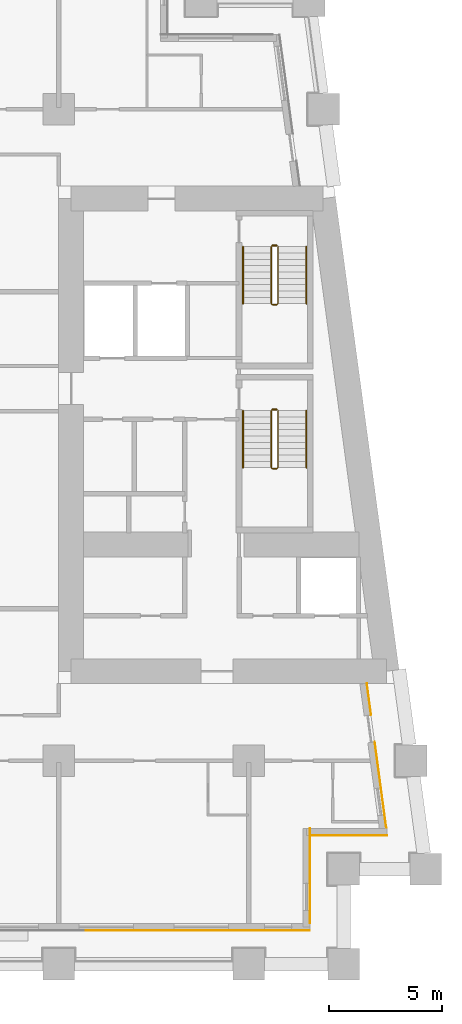
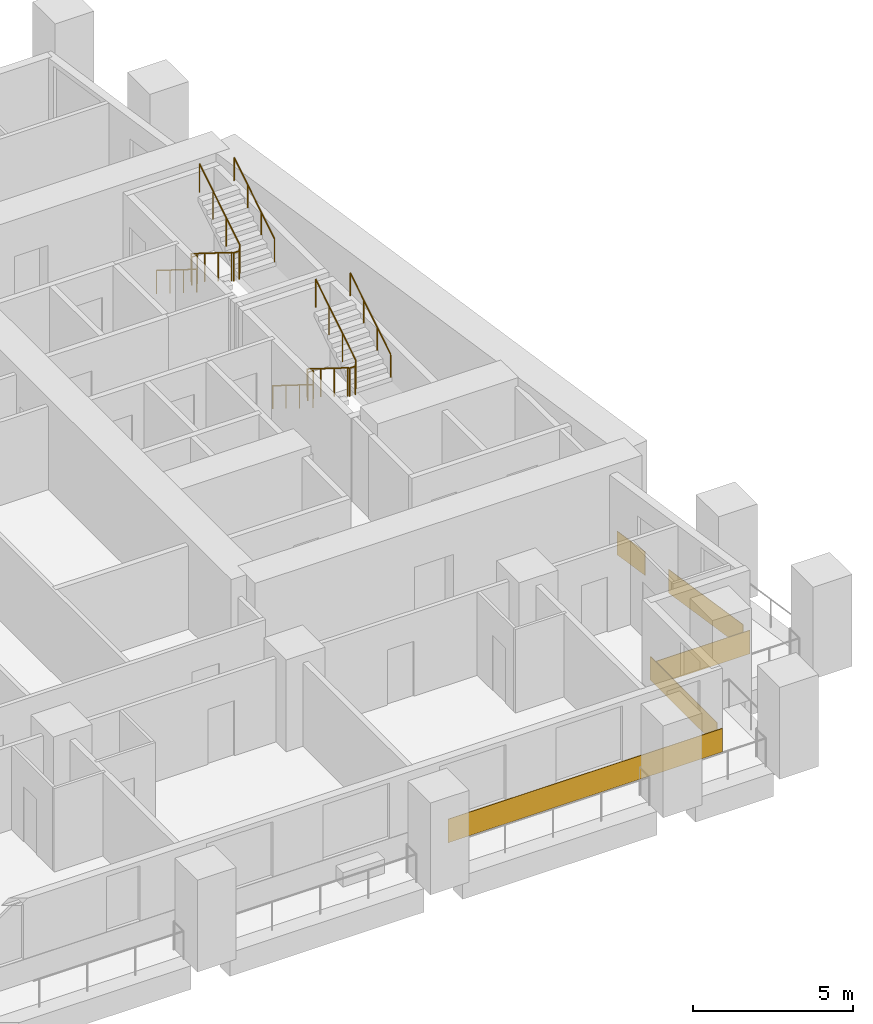
# One storey, part 11 of 13: 8 railings, 5 coverings.
"""IFC4 building model written with IfcOpenShell, lengths in metres."""

from ifc_helpers import new_model, si_unit, direction, frame, origin, origin_2d, place, context, subcontext, project, spatial, rectangle, circle, extrude, material, layer, layer_set, type_object, element, save


model = new_model("IFC4")

# Units and contexts
model_context = context("Model", 3, precision=1e-05, world=origin(), true_north=direction((0.0, 1.0)))
body_context = subcontext(model_context, "Body", "Model", "MODEL_VIEW")
ifc_project = project(units=[si_unit("LENGTHUNIT", "METRE"), si_unit("AREAUNIT", "SQUARE_METRE"), si_unit("VOLUMEUNIT", "CUBIC_METRE"), si_unit("PLANEANGLEUNIT", "RADIAN"), si_unit("MASSUNIT", "GRAM", prefix="KILO")], contexts=[model_context])

# Site, building, storey
site_placement = place(None, origin())
site = spatial("IfcSite", under=ifc_project, at=site_placement, CompositionType="ELEMENT")
building_placement = place(site_placement, origin())
building = spatial("IfcBuilding", under=site, at=building_placement, Name="Candeia Pilgrim Tower and Theatre", CompositionType="ELEMENT")
storey_placement = place(building_placement, frame((0.0, 0.0, 56.5)))
storey = spatial("IfcBuildingStorey", under=building, at=storey_placement, Name="L11", CompositionType="ELEMENT", Elevation=56.5)

# Coverings
ifc_material_1 = material(Name="Glazed ceramic tile deep red")
ifc_layer = layer(ifc_material_1, 0.02001953125)
ifc_layer_set = layer_set([ifc_layer], Name="Glazed ceramic tile deep red")
covering_type = type_object("IfcCoveringType", Name="Glazed ceramic tile deep red", PredefinedType="CLADDING", material=ifc_layer_set)
covering_1_placement = place(storey_placement, frame((132.14990234375, 99.489990234375, 0.0), z_axis=(0.0, 0.0, 1.0), x_axis=(1.0, 0.0, 0.0)))
element("IfcCovering", 1, at=covering_1_placement, inside=storey, type_object=covering_type, Name="Tile cladding deep red L11", PredefinedType="CLADDING", context=body_context, shape_type="SweptSolid", body=[
    extrude(rectangle(XDim=9.89990234375, YDim=0.02001953125, at=origin_2d()), origin(), (0.0, 0.0, 1.0), 0.89990234375),
])
covering_2_placement = place(storey_placement, frame((137.110107421875, 101.909912109375, 0.0), z_axis=(0.0, 0.0, 1.0), x_axis=(0.0, 1.0, 0.0)))
element("IfcCovering", 2, at=covering_2_placement, inside=storey, type_object=covering_type, Name="Tile cladding deep red L11", PredefinedType="CLADDING", context=body_context, shape_type="SweptSolid", body=[
    extrude(rectangle(XDim=4.179931640625, YDim=0.02001953125, at=origin_2d()), origin(), (0.0, 0.0, 1.0), 0.89990234375),
])
covering_3_placement = place(storey_placement, frame((138.819580078125, 103.68994140625, 0.0), z_axis=(0.0, 0.0, 1.0), x_axis=(1.0, 0.0, 0.0)))
element("IfcCovering", 3, at=covering_3_placement, inside=storey, type_object=covering_type, Name="Tile cladding deep red L11", PredefinedType="CLADDING", context=body_context, shape_type="SweptSolid", body=[
    extrude(rectangle(XDim=3.399169921875, YDim=0.02001953125, at=origin_2d()), origin(), (0.0, 0.0, 1.0), 0.89990234375),
])
covering_4_placement = place(storey_placement, frame((140.228515625, 105.933349609375, 0.0), z_axis=(0.0, 0.0, 1.0), x_axis=(-0.133412012145, 0.991060661622, 0.0)))
element("IfcCovering", 4, at=covering_4_placement, inside=storey, type_object=covering_type, Name="Tile cladding deep red L11", PredefinedType="CLADDING", context=body_context, shape_type="SweptSolid", body=[
    extrude(rectangle(XDim=3.821044921875, YDim=0.02001953125, at=origin_2d()), origin(), (0.0, 0.0, 1.0), 0.89990234375),
])
covering_5_placement = place(storey_placement, frame((139.718994140625, 109.71875, 0.0), z_axis=(0.0, 0.0, 1.0), x_axis=(-0.133412012145, 0.991060661622, 0.0)))
element("IfcCovering", 5, at=covering_5_placement, inside=storey, type_object=covering_type, Name="Tile cladding deep red L11", PredefinedType="CLADDING", context=body_context, shape_type="SweptSolid", body=[
    extrude(rectangle(XDim=1.41796875, YDim=0.02001953125, at=origin_2d()), origin(), (0.0, 0.0, 1.0), 0.89990234375),
])

# Railings
ifc_material_2 = material(Name="Stainless steel balustrade", Category="steel")
railing_type_1 = type_object("IfcRailingType", Name="RL-GUARD-1100", PredefinedType="GUARDRAIL", material=ifc_material_2)
railing_1_placement = place(storey_placement, frame((135.39794921875, 122.47509765625, 0.175048828125)))
element("IfcRailing", 6, at=railing_1_placement, inside=storey, type_object=railing_type_1, Name="L11 ST3 stair guard 1", PredefinedType="GUARDRAIL", context=body_context, shape_type="SweptSolid", body=[
    extrude(circle(Radius=0.02392578125, at=origin_2d()), frame((0.0, 0.0, 1.076171875), z_axis=(0.0, -0.848007534815, 0.529984170421), x_axis=(1.0, 0.0, 0.0)), (0.0, 0.0, 1.0), 2.9716796875),
    extrude(circle(Radius=0.02392578125, at=origin_2d()), frame((0.0, -2.52001953125, 2.65087890625), z_axis=(0.707106781187, -0.707106781187, 0.0), x_axis=(0.707106781187, 0.707106781187, 0.0)), (0.0, 0.0, 1.0), 0.07080078125),
    extrude(circle(Radius=0.02392578125, at=origin_2d()), frame((0.050048828125, -2.570068359375, 2.65087890625), z_axis=(1.0, 0.0, 0.0), x_axis=(0.0, 1.0, 0.0)), (0.0, 0.0, 1.0), 0.199951171875),
    extrude(circle(Radius=0.02392578125, at=origin_2d()), frame((0.25, -2.570068359375, 2.65087890625), z_axis=(0.265065253269, 0.265065253269, 0.927081885822), x_axis=(-0.707106781187, 0.707106781187, 0.0)), (0.0, 0.0, 1.0), 0.188720703125),
    extrude(circle(Radius=0.02392578125, at=origin_2d()), frame((0.300048828125, -2.52001953125, 2.826171875), z_axis=(0.0, 0.848007534815, 0.529984170421), x_axis=(-1.0, 0.0, 0.0)), (0.0, 0.0, 1.0), 2.9716796875),
    extrude(circle(Radius=0.02099609375, at=origin_2d()), origin(), (0.0, 0.0, 1.0), 1.052001953125),
    extrude(circle(Radius=0.02099609375, at=origin_2d()), frame((0.0, -0.840087890625, 0.52490234375)), (0.0, 0.0, 1.0), 1.052001953125),
    extrude(circle(Radius=0.02099609375, at=origin_2d()), frame((0.0, -1.679931640625, 1.050048828125)), (0.0, 0.0, 1.0), 1.052001953125),
    extrude(circle(Radius=0.02099609375, at=origin_2d()), frame((0.0, -2.52001953125, 1.574951171875)), (0.0, 0.0, 1.0), 1.052001953125),
    extrude(circle(Radius=0.02099609375, at=origin_2d()), frame((0.050048828125, -2.570068359375, 1.574951171875)), (0.0, 0.0, 1.0), 1.052001953125),
    extrude(circle(Radius=0.02099609375, at=origin_2d()), frame((0.25, -2.570068359375, 1.574951171875)), (0.0, 0.0, 1.0), 1.052001953125),
    extrude(circle(Radius=0.02099609375, at=origin_2d()), frame((0.300048828125, -2.52001953125, 1.75)), (0.0, 0.0, 1.0), 1.052001953125),
    extrude(circle(Radius=0.02099609375, at=origin_2d()), frame((0.300048828125, -1.679931640625, 2.27490234375)), (0.0, 0.0, 1.0), 1.052001953125),
    extrude(circle(Radius=0.02099609375, at=origin_2d()), frame((0.300048828125, -0.840087890625, 2.800048828125)), (0.0, 0.0, 1.0), 1.052001953125),
    extrude(circle(Radius=0.02099609375, at=origin_2d()), frame((0.300048828125, 0.0, 3.324951171875)), (0.0, 0.0, 1.0), 1.052001953125),
])
railing_2_placement = place(storey_placement, frame((135.447998046875, 122.52490234375, 0.0)))
element("IfcRailing", 7, at=railing_2_placement, inside=storey, type_object=railing_type_1, Name="L11 ST3 stair guard 2", PredefinedType="GUARDRAIL", context=body_context, shape_type="SweptSolid", body=[
    extrude(circle(Radius=0.02392578125, at=origin_2d()), frame((0.0, 0.0, 1.076171875), z_axis=(1.0, 0.0, 0.0), x_axis=(0.0, 1.0, 0.0)), (0.0, 0.0, 1.0), 0.199951171875),
    extrude(circle(Radius=0.02099609375, at=origin_2d()), origin(), (0.0, 0.0, 1.0), 1.052001953125),
    extrude(circle(Radius=0.02099609375, at=origin_2d()), frame((0.199951171875, 0.0, 0.0)), (0.0, 0.0, 1.0), 1.052001953125),
])
railing_3_placement = place(storey_placement, frame((135.39794921875, 129.72509765625, 0.175048828125)))
element("IfcRailing", 8, at=railing_3_placement, inside=storey, type_object=railing_type_1, Name="L11 ST4 stair guard 1", PredefinedType="GUARDRAIL", context=body_context, shape_type="SweptSolid", body=[
    extrude(circle(Radius=0.02392578125, at=origin_2d()), frame((0.0, 0.0, 1.076171875), z_axis=(0.0, -0.848007534815, 0.529984170421), x_axis=(1.0, 0.0, 0.0)), (0.0, 0.0, 1.0), 2.9716796875),
    extrude(circle(Radius=0.02392578125, at=origin_2d()), frame((0.0, -2.52001953125, 2.65087890625), z_axis=(0.707106781187, -0.707106781187, 0.0), x_axis=(0.707106781187, 0.707106781187, 0.0)), (0.0, 0.0, 1.0), 0.07080078125),
    extrude(circle(Radius=0.02392578125, at=origin_2d()), frame((0.050048828125, -2.570068359375, 2.65087890625), z_axis=(1.0, 0.0, 0.0), x_axis=(0.0, 1.0, 0.0)), (0.0, 0.0, 1.0), 0.199951171875),
    extrude(circle(Radius=0.02392578125, at=origin_2d()), frame((0.25, -2.570068359375, 2.65087890625), z_axis=(0.265065253269, 0.265065253269, 0.927081885822), x_axis=(-0.707106781187, 0.707106781187, 0.0)), (0.0, 0.0, 1.0), 0.188720703125),
    extrude(circle(Radius=0.02392578125, at=origin_2d()), frame((0.300048828125, -2.52001953125, 2.826171875), z_axis=(0.0, 0.848007534815, 0.529984170421), x_axis=(-1.0, 0.0, 0.0)), (0.0, 0.0, 1.0), 2.9716796875),
    extrude(circle(Radius=0.02099609375, at=origin_2d()), origin(), (0.0, 0.0, 1.0), 1.052001953125),
    extrude(circle(Radius=0.02099609375, at=origin_2d()), frame((0.0, -0.840087890625, 0.52490234375)), (0.0, 0.0, 1.0), 1.052001953125),
    extrude(circle(Radius=0.02099609375, at=origin_2d()), frame((0.0, -1.679931640625, 1.050048828125)), (0.0, 0.0, 1.0), 1.052001953125),
    extrude(circle(Radius=0.02099609375, at=origin_2d()), frame((0.0, -2.52001953125, 1.574951171875)), (0.0, 0.0, 1.0), 1.052001953125),
    extrude(circle(Radius=0.02099609375, at=origin_2d()), frame((0.050048828125, -2.570068359375, 1.574951171875)), (0.0, 0.0, 1.0), 1.052001953125),
    extrude(circle(Radius=0.02099609375, at=origin_2d()), frame((0.25, -2.570068359375, 1.574951171875)), (0.0, 0.0, 1.0), 1.052001953125),
    extrude(circle(Radius=0.02099609375, at=origin_2d()), frame((0.300048828125, -2.52001953125, 1.75)), (0.0, 0.0, 1.0), 1.052001953125),
    extrude(circle(Radius=0.02099609375, at=origin_2d()), frame((0.300048828125, -1.679931640625, 2.27490234375)), (0.0, 0.0, 1.0), 1.052001953125),
    extrude(circle(Radius=0.02099609375, at=origin_2d()), frame((0.300048828125, -0.840087890625, 2.800048828125)), (0.0, 0.0, 1.0), 1.052001953125),
    extrude(circle(Radius=0.02099609375, at=origin_2d()), frame((0.300048828125, 0.0, 3.324951171875)), (0.0, 0.0, 1.0), 1.052001953125),
])
railing_4_placement = place(storey_placement, frame((135.447998046875, 129.77490234375, 0.0)))
element("IfcRailing", 9, at=railing_4_placement, inside=storey, type_object=railing_type_1, Name="L11 ST4 stair guard 2", PredefinedType="GUARDRAIL", context=body_context, shape_type="SweptSolid", body=[
    extrude(circle(Radius=0.02392578125, at=origin_2d()), frame((0.0, 0.0, 1.076171875), z_axis=(1.0, 0.0, 0.0), x_axis=(0.0, 1.0, 0.0)), (0.0, 0.0, 1.0), 0.199951171875),
    extrude(circle(Radius=0.02099609375, at=origin_2d()), origin(), (0.0, 0.0, 1.0), 1.052001953125),
    extrude(circle(Radius=0.02099609375, at=origin_2d()), frame((0.199951171875, 0.0, 0.0)), (0.0, 0.0, 1.0), 1.052001953125),
])
ifc_material_3 = material(Name="Stainless steel handrail", Category="steel")
railing_type_2 = type_object("IfcRailingType", Name="RL-HANDRAIL-900", PredefinedType="HANDRAIL", material=ifc_material_3)
railing_5_placement = place(storey_placement, frame((134.14794921875, 122.47509765625, 0.175048828125)))
element("IfcRailing", 10, at=railing_5_placement, inside=storey, type_object=railing_type_2, Name="L11 ST3 stair handrail 1", PredefinedType="HANDRAIL", context=body_context, shape_type="SweptSolid", body=[
    extrude(circle(Radius=0.02392578125, at=origin_2d()), frame((0.0, 0.0, 0.8759765625), z_axis=(0.0, -0.848007534815, 0.529984170421), x_axis=(1.0, 0.0, 0.0)), (0.0, 0.0, 1.0), 2.9716796875),
    extrude(circle(Radius=0.02099609375, at=origin_2d()), origin(), (0.0, 0.0, 1.0), 0.851806640625),
    extrude(circle(Radius=0.02099609375, at=origin_2d()), frame((0.0, -0.840087890625, 0.52490234375)), (0.0, 0.0, 1.0), 0.851806640625),
    extrude(circle(Radius=0.02099609375, at=origin_2d()), frame((0.0, -1.679931640625, 1.050048828125)), (0.0, 0.0, 1.0), 0.851806640625),
    extrude(circle(Radius=0.02099609375, at=origin_2d()), frame((0.0, -2.52001953125, 1.574951171875)), (0.0, 0.0, 1.0), 0.851806640625),
])
railing_6_placement = place(storey_placement, frame((136.947998046875, 119.955078125, 1.925048828125)))
element("IfcRailing", 11, at=railing_6_placement, inside=storey, type_object=railing_type_2, Name="L11 ST3 stair handrail 2", PredefinedType="HANDRAIL", context=body_context, shape_type="SweptSolid", body=[
    extrude(circle(Radius=0.02392578125, at=origin_2d()), frame((0.0, 0.0, 0.8759765625), z_axis=(0.0, 0.848007534815, 0.529984170421), x_axis=(-1.0, 0.0, 0.0)), (0.0, 0.0, 1.0), 2.9716796875),
    extrude(circle(Radius=0.02099609375, at=origin_2d()), origin(), (0.0, 0.0, 1.0), 0.851806640625),
    extrude(circle(Radius=0.02099609375, at=origin_2d()), frame((0.0, 0.840087890625, 0.52490234375)), (0.0, 0.0, 1.0), 0.851806640625),
    extrude(circle(Radius=0.02099609375, at=origin_2d()), frame((0.0, 1.679931640625, 1.050048828125)), (0.0, 0.0, 1.0), 0.851806640625),
    extrude(circle(Radius=0.02099609375, at=origin_2d()), frame((0.0, 2.52001953125, 1.574951171875)), (0.0, 0.0, 1.0), 0.851806640625),
])
railing_7_placement = place(storey_placement, frame((134.14794921875, 129.72509765625, 0.175048828125)))
element("IfcRailing", 12, at=railing_7_placement, inside=storey, type_object=railing_type_2, Name="L11 ST4 stair handrail 1", PredefinedType="HANDRAIL", context=body_context, shape_type="SweptSolid", body=[
    extrude(circle(Radius=0.02392578125, at=origin_2d()), frame((0.0, 0.0, 0.8759765625), z_axis=(0.0, -0.848007534815, 0.529984170421), x_axis=(1.0, 0.0, 0.0)), (0.0, 0.0, 1.0), 2.9716796875),
    extrude(circle(Radius=0.02099609375, at=origin_2d()), origin(), (0.0, 0.0, 1.0), 0.851806640625),
    extrude(circle(Radius=0.02099609375, at=origin_2d()), frame((0.0, -0.840087890625, 0.52490234375)), (0.0, 0.0, 1.0), 0.851806640625),
    extrude(circle(Radius=0.02099609375, at=origin_2d()), frame((0.0, -1.679931640625, 1.050048828125)), (0.0, 0.0, 1.0), 0.851806640625),
    extrude(circle(Radius=0.02099609375, at=origin_2d()), frame((0.0, -2.52001953125, 1.574951171875)), (0.0, 0.0, 1.0), 0.851806640625),
])
railing_8_placement = place(storey_placement, frame((136.947998046875, 127.205078125, 1.925048828125)))
element("IfcRailing", 13, at=railing_8_placement, inside=storey, type_object=railing_type_2, Name="L11 ST4 stair handrail 2", PredefinedType="HANDRAIL", context=body_context, shape_type="SweptSolid", body=[
    extrude(circle(Radius=0.02392578125, at=origin_2d()), frame((0.0, 0.0, 0.8759765625), z_axis=(0.0, 0.848007534815, 0.529984170421), x_axis=(-1.0, 0.0, 0.0)), (0.0, 0.0, 1.0), 2.9716796875),
    extrude(circle(Radius=0.02099609375, at=origin_2d()), origin(), (0.0, 0.0, 1.0), 0.851806640625),
    extrude(circle(Radius=0.02099609375, at=origin_2d()), frame((0.0, 0.840087890625, 0.52490234375)), (0.0, 0.0, 1.0), 0.851806640625),
    extrude(circle(Radius=0.02099609375, at=origin_2d()), frame((0.0, 1.679931640625, 1.050048828125)), (0.0, 0.0, 1.0), 0.851806640625),
    extrude(circle(Radius=0.02099609375, at=origin_2d()), frame((0.0, 2.52001953125, 1.574951171875)), (0.0, 0.0, 1.0), 0.851806640625),
])

save(model, "model.ifc")
